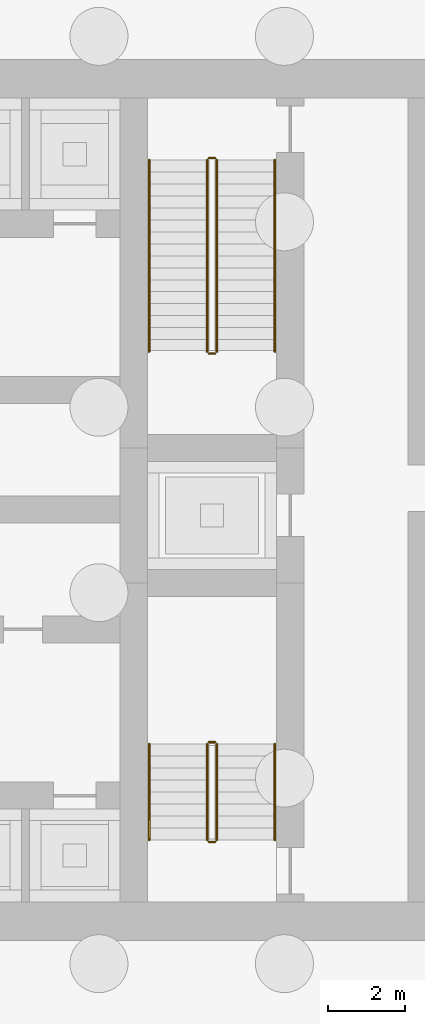
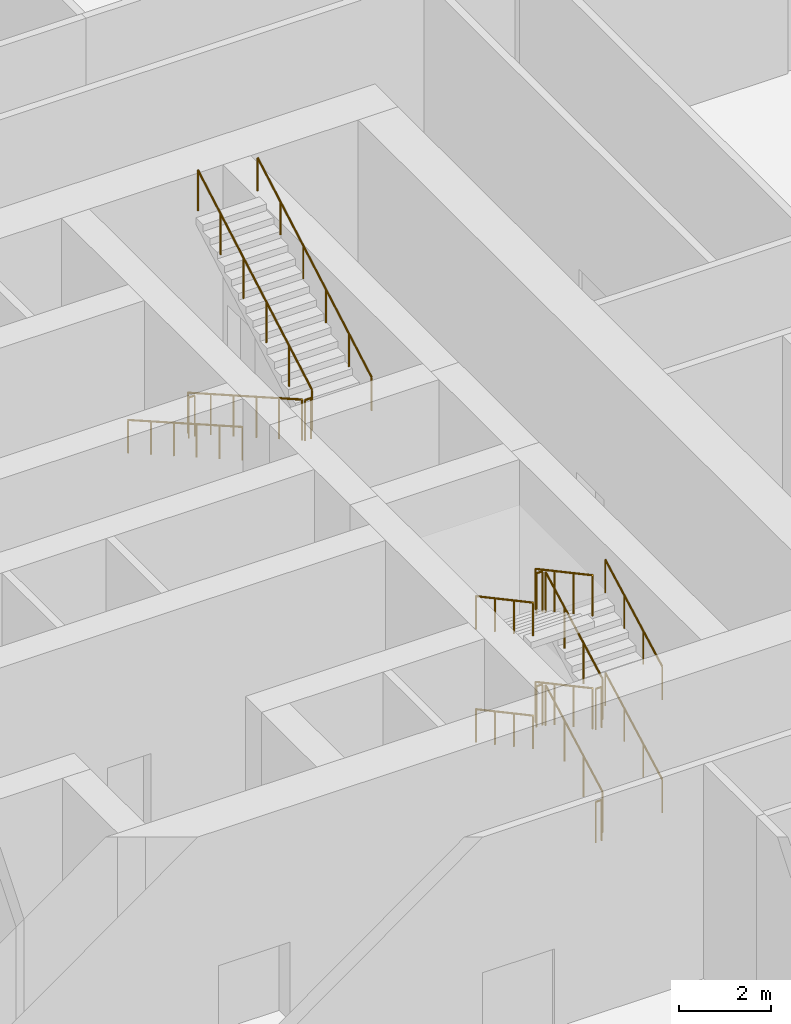
# One storey, part 41 of 44: 18 railings.
"""IFC4 building model written with IfcOpenShell, lengths in metres."""

import ifcopenshell
import ifcopenshell.guid

model = None  # the IFC model being written
_history = None  # IfcOwnerHistory: only IFC2X3 demands one
_inside = {}  # id of a spatial element -> (the spatial element, [elements in it])
_under = {}  # id of a project, library or spatial element -> (it, [spatial elements below it])
_declared = {}  # id of a project -> (the project, [libraries it declares])
_typed = {}  # id of a type object -> (the type object, [elements of that type])
_made_of = {}  # id of a material, layer set ... -> (it, [elements and type objects made of it])


def new_model(schema):
    """Start an empty IFC model of exactly this schema.

    Asked for "IFC4X3", IfcOpenShell would pick the latest addendum, in which some entities
    have other attributes; the version numbers below select the first issue.
    IFC2X3 requires an IfcOwnerHistory on every rooted entity: one is made here for all.
    """
    global model, _history
    if schema == "IFC4X3":
        model = ifcopenshell.file(schema_version=(4, 3, 0, 0))
    else:
        model = ifcopenshell.file(schema=schema)
    _inside.clear()
    _under.clear()
    _declared.clear()
    _typed.clear()
    _made_of.clear()
    _history = None
    if model.schema == "IFC2X3":
        org = make("IfcOrganization", Name="unknown")
        user = make(
            "IfcPersonAndOrganization",
            ThePerson=make("IfcPerson", FamilyName="unknown"),
            TheOrganization=org,
        )
        app = make(
            "IfcApplication",
            ApplicationDeveloper=org,
            Version="unknown",
            ApplicationFullName="unknown",
            ApplicationIdentifier="unknown",
        )
        _history = make(
            "IfcOwnerHistory",
            OwningUser=user,
            OwningApplication=app,
            ChangeAction="ADDED",
            CreationDate=0,
        )
    return model


def make(cls, **values):
    """One entity of the class cls with the attributes given. An attribute that is None is left unset."""
    return model.create_entity(
        cls, **{name: value for name, value in values.items() if value is not None}
    )


def rooted(cls, **values):
    """An entity with a GlobalId (a new one), such as an element, a storey or a relation."""
    return make(cls, GlobalId=ifcopenshell.guid.new(), OwnerHistory=_history, **values)


def si_unit(unit_type, name, prefix=None):
    """IfcSIUnit, for example si_unit("LENGTHUNIT", "METRE", prefix="MILLI")."""
    return make("IfcSIUnit", UnitType=unit_type, Prefix=prefix, Name=name)


def assignment(units):
    """IfcUnitAssignment: the units of a project."""
    return None if units is None else make("IfcUnitAssignment", Units=units)


def point(xyz):
    """IfcCartesianPoint."""
    return None if xyz is None else make("IfcCartesianPoint", Coordinates=xyz)


def direction(xyz):
    """IfcDirection."""
    return None if xyz is None else make("IfcDirection", DirectionRatios=xyz)


def frame(location, z_axis=None, x_axis=None):
    """IfcAxis2Placement3D, a coordinate frame: its origin and axes. An axis left out is left unset."""
    return make(
        "IfcAxis2Placement3D",
        Location=point(location),
        Axis=direction(z_axis),
        RefDirection=direction(x_axis),
    )


def frame_2d(location, x_axis=None):
    """IfcAxis2Placement2D, a coordinate frame in the plane: its origin and x axis."""
    return make(
        "IfcAxis2Placement2D", Location=point(location), RefDirection=direction(x_axis)
    )


def origin():
    """The frame at (0, 0, 0) with its axes left unset."""
    return frame((0.0, 0.0, 0.0))


def origin_2d():
    """The frame at (0, 0) in the plane with its x axis left unset."""
    return frame_2d((0.0, 0.0))


def place(relative_to, where):
    """IfcLocalPlacement: puts the frame where relative to a parent placement (None: the world)."""
    return make(
        "IfcLocalPlacement", PlacementRelTo=relative_to, RelativePlacement=where
    )


def context(
    kind, dimensions, precision=None, world=None, true_north=None, identifier=None
):
    """IfcGeometricRepresentationContext, for example the 3D "Model" context."""
    return make(
        "IfcGeometricRepresentationContext",
        ContextIdentifier=identifier,
        ContextType=kind,
        CoordinateSpaceDimension=dimensions,
        Precision=precision,
        WorldCoordinateSystem=world,
        TrueNorth=true_north,
    )


def subcontext(parent, identifier, kind, view, scale=None):
    """IfcGeometricRepresentationSubContext, for example "Body" below "Model"."""
    return make(
        "IfcGeometricRepresentationSubContext",
        ContextIdentifier=identifier,
        ContextType=kind,
        ParentContext=parent,
        TargetScale=scale,
        TargetView=view,
    )


def project(units=None, contexts=None):
    """IfcProject with its units and contexts."""
    return rooted(
        "IfcProject",
        Name="project",
        RepresentationContexts=contexts,
        UnitsInContext=assignment(units),
    )


def spatial(cls, under=None, at=None, **own):
    """A site, building, storey or space (cls), placed at a placement, below another one or the project."""
    s = rooted(cls, ObjectPlacement=at, **own)
    if under is not None:
        _under.setdefault(under.id(), (under, []))[1].append(s)
    return s


def profile(cls, at=None, kind="AREA", **sizes):
    """A parametric profile (cls). Its sizes go by their IFC names, for example OverallWidth=200.0."""
    return make(cls, ProfileType=kind, Position=at, **sizes)


def circle(**sizes):
    """IfcCircleProfileDef."""
    return profile("IfcCircleProfileDef", **sizes)


def extrude(swept, where, along, depth):
    """IfcExtrudedAreaSolid: the profile swept, set in the frame where, extruded along a direction by depth."""
    return make(
        "IfcExtrudedAreaSolid",
        SweptArea=swept,
        Position=where,
        ExtrudedDirection=direction(along),
        Depth=depth,
    )


def shape(context_of_items, identifier, shape_type, items):
    """IfcShapeRepresentation: the items that make up one representation, for example the "Body"."""
    return make(
        "IfcShapeRepresentation",
        ContextOfItems=context_of_items,
        RepresentationIdentifier=identifier,
        RepresentationType=shape_type,
        Items=items,
    )


def material(Name=None, Category=None):
    """IfcMaterial."""
    return make("IfcMaterial", Name=Name, Category=Category)


def made_of(thing, what):
    """Note that an element or type object is made of a material, layer set ...; save() writes the relation."""
    if what is not None:
        _made_of.setdefault(what.id(), (what, []))[1].append(thing)
    return thing


def type_object(cls, material=None, **own):
    """A type object (cls), such as IfcWallType, which elements share."""
    return made_of(rooted(cls, **own), material)


def element(
    cls,
    number,
    at=None,
    inside=None,
    cuts=None,
    type_object=None,
    material=None,
    context=None,
    identifier="Body",
    shape_type=None,
    held_by="IfcProductDefinitionShape",
    body=None,
    shapes=None,
    **own,
):
    """One element of the class cls, such as IfcWall. Its Tag is "e" and its number.

    at: its placement. inside: the storey or other place that contains it. cuts: it is an
    opening in that element (IfcRelVoidsElement). A single representation is given by context,
    identifier, shape_type and body (its items); several are given by shapes. held_by: the class
    of the entity that holds the representations. save() writes the other relations.
    """
    e = rooted(cls, Tag="e%d" % number, ObjectPlacement=at, **own)
    if body is not None:
        shapes = [shape(context, identifier, shape_type, body)]
    if shapes is not None:
        e.Representation = make(held_by, Representations=shapes)
    if inside is not None:
        _inside.setdefault(inside.id(), (inside, []))[1].append(e)
    if cuts is not None:
        rooted(
            "IfcRelVoidsElement", RelatingBuildingElement=cuts, RelatedOpeningElement=e
        )
    if type_object is not None:
        _typed.setdefault(type_object.id(), (type_object, []))[1].append(e)
    return made_of(e, material)


def aggregate(whole, parts):
    """IfcRelAggregates: a whole, such as a stair, and the parts it consists of."""
    return rooted("IfcRelAggregates", RelatingObject=whole, RelatedObjects=parts)


def save(model, path):
    """Write the relations noted so far, then the file.

    IfcRelAggregates (storeys below a building ...), IfcRelContainedInSpatialStructure (elements
    in a storey), IfcRelDefinesByType, IfcRelAssociatesMaterial and IfcRelDeclares: one each for
    every whole, place, type object, material and project.
    """
    for whole, parts in _under.values():
        aggregate(whole, parts)
    for where, things in _inside.values():
        rooted(
            "IfcRelContainedInSpatialStructure",
            RelatedElements=things,
            RelatingStructure=where,
        )
    for kind, things in _typed.values():
        rooted("IfcRelDefinesByType", RelatedObjects=things, RelatingType=kind)
    for what, things in _made_of.values():
        rooted("IfcRelAssociatesMaterial", RelatedObjects=things, RelatingMaterial=what)
    for by, libraries in _declared.values():
        rooted("IfcRelDeclares", RelatingContext=by, RelatedDefinitions=libraries)
    model.write(path)


model = new_model("IFC4")

# Units and contexts
model_context = context("Model", 3, precision=1e-05, world=origin(), true_north=direction((0.0, 1.0)))
body_context = subcontext(model_context, "Body", "Model", "MODEL_VIEW")
ifc_project = project(units=[si_unit("LENGTHUNIT", "METRE"), si_unit("AREAUNIT", "SQUARE_METRE"), si_unit("VOLUMEUNIT", "CUBIC_METRE"), si_unit("PLANEANGLEUNIT", "RADIAN"), si_unit("MASSUNIT", "GRAM", prefix="KILO")], contexts=[model_context])

# Site, building, storey
site_placement = place(None, origin())
site = spatial("IfcSite", under=ifc_project, at=site_placement, CompositionType="ELEMENT")
building_placement = place(site_placement, origin())
building = spatial("IfcBuilding", under=site, at=building_placement, Name="Madar Terraces", CompositionType="ELEMENT")
storey_placement = place(building_placement, origin())
storey = spatial("IfcBuildingStorey", under=building, at=storey_placement, Name="L00", CompositionType="ELEMENT", Elevation=0.0)

# Railings
ifc_material_1 = material(Name="Stainless steel railing", Category="steel")
railing_type_1 = type_object("IfcRailingType", Name="Stair guard 1100", PredefinedType="GUARDRAIL", material=ifc_material_1)
railing_1_placement = place(storey_placement, frame((41.199951171875, 35.199951171875, 0.176513671875)))
element("IfcRailing", 1, at=railing_1_placement, inside=storey, type_object=railing_type_1, Name="L00 ST2 stair guard 1", PredefinedType="GUARDRAIL", context=body_context, shape_type="SweptSolid", body=[
    extrude(circle(Radius=0.02392578125, at=origin_2d()), frame((0.0, 0.0, 1.076171875), z_axis=(0.0, -0.869055394331, 0.49471478812), x_axis=(1.0, 0.0, 0.0)), (0.0, 0.0, 1.0), 5.707275390625),
    extrude(circle(Radius=0.02099609375, at=origin_2d()), origin(), (0.0, 0.0, 1.0), 1.052001953125),
    extrude(circle(Radius=0.02099609375, at=origin_2d()), frame((0.0, -0.991943359375, 0.564697265625)), (0.0, 0.0, 1.0), 1.052001953125),
    extrude(circle(Radius=0.02099609375, at=origin_2d()), frame((0.0, -1.98388671875, 1.12939453125)), (0.0, 0.0, 1.0), 1.052001953125),
    extrude(circle(Radius=0.02099609375, at=origin_2d()), frame((0.0, -2.97607421875, 1.694091796875)), (0.0, 0.0, 1.0), 1.052001953125),
    extrude(circle(Radius=0.02099609375, at=origin_2d()), frame((0.0, -3.968017578125, 2.2587890625)), (0.0, 0.0, 1.0), 1.052001953125),
    extrude(circle(Radius=0.02099609375, at=origin_2d()), frame((0.0, -4.9599609375, 2.823486328125)), (0.0, 0.0, 1.0), 1.052001953125),
])
railing_2_placement = place(storey_placement, frame((41.25, 30.18994140625, 3.0)))
element("IfcRailing", 2, at=railing_2_placement, inside=storey, type_object=railing_type_1, Name="L00 ST2 stair guard 2", PredefinedType="GUARDRAIL", context=body_context, shape_type="SweptSolid", body=[
    extrude(circle(Radius=0.02392578125, at=origin_2d()), frame((0.0, 0.0, 1.076171875), z_axis=(1.0, 0.0, 0.0), x_axis=(0.0, 1.0, 0.0)), (0.0, 0.0, 1.0), 0.14990234375),
    extrude(circle(Radius=0.02099609375, at=origin_2d()), origin(), (0.0, 0.0, 1.0), 1.052001953125),
    extrude(circle(Radius=0.02099609375, at=origin_2d()), frame((0.14990234375, 0.0, 0.0)), (0.0, 0.0, 1.0), 1.052001953125),
])
railing_3_placement = place(storey_placement, frame((41.449951171875, 30.239990234375, 3.176513671875)))
element("IfcRailing", 3, at=railing_3_placement, inside=storey, type_object=railing_type_1, Name="L00 ST2 stair guard 3", PredefinedType="GUARDRAIL", context=body_context, shape_type="SweptSolid", body=[
    extrude(circle(Radius=0.02392578125, at=origin_2d()), frame((0.0, 0.0, 1.076171875), z_axis=(0.0, 0.869055394331, 0.49471478812), x_axis=(-1.0, 0.0, 0.0)), (0.0, 0.0, 1.0), 5.707275390625),
    extrude(circle(Radius=0.02099609375, at=origin_2d()), origin(), (0.0, 0.0, 1.0), 1.052001953125),
    extrude(circle(Radius=0.02099609375, at=origin_2d()), frame((0.0, 0.991943359375, 0.564697265625)), (0.0, 0.0, 1.0), 1.052001953125),
    extrude(circle(Radius=0.02099609375, at=origin_2d()), frame((0.0, 1.98388671875, 1.12939453125)), (0.0, 0.0, 1.0), 1.052001953125),
    extrude(circle(Radius=0.02099609375, at=origin_2d()), frame((0.0, 2.97607421875, 1.694091796875)), (0.0, 0.0, 1.0), 1.052001953125),
    extrude(circle(Radius=0.02099609375, at=origin_2d()), frame((0.0, 3.968017578125, 2.2587890625)), (0.0, 0.0, 1.0), 1.052001953125),
    extrude(circle(Radius=0.02099609375, at=origin_2d()), frame((0.0, 4.9599609375, 2.823486328125)), (0.0, 0.0, 1.0), 1.052001953125),
])
railing_4_placement = place(storey_placement, frame((41.25, 35.25, 0.0)))
element("IfcRailing", 4, at=railing_4_placement, inside=storey, type_object=railing_type_1, Name="L00 ST2 stair guard 4", PredefinedType="GUARDRAIL", context=body_context, shape_type="SweptSolid", body=[
    extrude(circle(Radius=0.02392578125, at=origin_2d()), frame((0.0, 0.0, 1.076171875), z_axis=(1.0, 0.0, 0.0), x_axis=(0.0, 1.0, 0.0)), (0.0, 0.0, 1.0), 0.14990234375),
    extrude(circle(Radius=0.02099609375, at=origin_2d()), origin(), (0.0, 0.0, 1.0), 1.052001953125),
    extrude(circle(Radius=0.02099609375, at=origin_2d()), frame((0.14990234375, 0.0, 0.0)), (0.0, 0.0, 1.0), 1.052001953125),
])
railing_5_placement = place(storey_placement, frame((41.449951171875, 17.60009765625, 0.166748046875)))
element("IfcRailing", 5, at=railing_5_placement, inside=storey, type_object=railing_type_1, Name="L00 ST3 stair guard 1", PredefinedType="GUARDRAIL", context=body_context, shape_type="SweptSolid", body=[
    extrude(circle(Radius=0.02392578125, at=origin_2d()), frame((0.0, 0.0, 1.076171875), z_axis=(0.0, 0.880785522881, 0.473515430248), x_axis=(-1.0, 0.0, 0.0)), (0.0, 0.0, 1.0), 2.815673828125),
    extrude(circle(Radius=0.02099609375, at=origin_2d()), origin(), (0.0, 0.0, 1.0), 1.052001953125),
    extrude(circle(Radius=0.02099609375, at=origin_2d()), frame((0.0, 0.82666015625, 0.4443359375)), (0.0, 0.0, 1.0), 1.052001953125),
    extrude(circle(Radius=0.02099609375, at=origin_2d()), frame((0.0, 1.6533203125, 0.888916015625)), (0.0, 0.0, 1.0), 1.052001953125),
    extrude(circle(Radius=0.02099609375, at=origin_2d()), frame((0.0, 2.47998046875, 1.333251953125)), (0.0, 0.0, 1.0), 1.052001953125),
])
railing_6_placement = place(storey_placement, frame((41.39990234375, 20.1298828125, 1.5)))
element("IfcRailing", 6, at=railing_6_placement, inside=storey, type_object=railing_type_1, Name="L00 ST3 stair guard 2", PredefinedType="GUARDRAIL", context=body_context, shape_type="SweptSolid", body=[
    extrude(circle(Radius=0.02392578125, at=origin_2d()), frame((0.0, 0.0, 1.076171875), z_axis=(-1.0, 0.0, 0.0), x_axis=(0.0, -1.0, 0.0)), (0.0, 0.0, 1.0), 0.14990234375),
    extrude(circle(Radius=0.02099609375, at=origin_2d()), origin(), (0.0, 0.0, 1.0), 1.052001953125),
    extrude(circle(Radius=0.02099609375, at=origin_2d()), frame((-0.14990234375, 0.0, 0.0)), (0.0, 0.0, 1.0), 1.052001953125),
])
railing_7_placement = place(storey_placement, frame((41.199951171875, 20.080078125, 1.666748046875)))
element("IfcRailing", 7, at=railing_7_placement, inside=storey, type_object=railing_type_1, Name="L00 ST3 stair guard 3", PredefinedType="GUARDRAIL", context=body_context, shape_type="SweptSolid", body=[
    extrude(circle(Radius=0.02392578125, at=origin_2d()), frame((0.0, 0.0, 1.076171875), z_axis=(0.0, -0.880785522881, 0.473515430248), x_axis=(1.0, 0.0, 0.0)), (0.0, 0.0, 1.0), 2.815673828125),
    extrude(circle(Radius=0.02099609375, at=origin_2d()), origin(), (0.0, 0.0, 1.0), 1.052001953125),
    extrude(circle(Radius=0.02099609375, at=origin_2d()), frame((0.0, -0.82666015625, 0.4443359375)), (0.0, 0.0, 1.0), 1.052001953125),
    extrude(circle(Radius=0.02099609375, at=origin_2d()), frame((0.0, -1.6533203125, 0.888916015625)), (0.0, 0.0, 1.0), 1.052001953125),
    extrude(circle(Radius=0.02099609375, at=origin_2d()), frame((0.0, -2.47998046875, 1.333251953125)), (0.0, 0.0, 1.0), 1.052001953125),
])
railing_8_placement = place(storey_placement, frame((41.39990234375, 17.550048828125, 3.0)))
element("IfcRailing", 8, at=railing_8_placement, inside=storey, type_object=railing_type_1, Name="L00 ST3 stair guard 4", PredefinedType="GUARDRAIL", context=body_context, shape_type="SweptSolid", body=[
    extrude(circle(Radius=0.02392578125, at=origin_2d()), frame((0.0, 0.0, 1.076171875), z_axis=(-1.0, 0.0, 0.0), x_axis=(0.0, -1.0, 0.0)), (0.0, 0.0, 1.0), 0.14990234375),
    extrude(circle(Radius=0.02099609375, at=origin_2d()), origin(), (0.0, 0.0, 1.0), 1.052001953125),
    extrude(circle(Radius=0.02099609375, at=origin_2d()), frame((-0.14990234375, 0.0, 0.0)), (0.0, 0.0, 1.0), 1.052001953125),
])
railing_9_placement = place(storey_placement, frame((41.449951171875, 17.60009765625, 3.166748046875)))
element("IfcRailing", 9, at=railing_9_placement, inside=storey, type_object=railing_type_1, Name="L00 ST3 stair guard 5", PredefinedType="GUARDRAIL", context=body_context, shape_type="SweptSolid", body=[
    extrude(circle(Radius=0.02392578125, at=origin_2d()), frame((0.0, 0.0, 1.076171875), z_axis=(0.0, 0.880785522881, 0.473515430248), x_axis=(-1.0, 0.0, 0.0)), (0.0, 0.0, 1.0), 2.815673828125),
    extrude(circle(Radius=0.02099609375, at=origin_2d()), origin(), (0.0, 0.0, 1.0), 1.052001953125),
    extrude(circle(Radius=0.02099609375, at=origin_2d()), frame((0.0, 0.82666015625, 0.4443359375)), (0.0, 0.0, 1.0), 1.052001953125),
    extrude(circle(Radius=0.02099609375, at=origin_2d()), frame((0.0, 1.6533203125, 0.888916015625)), (0.0, 0.0, 1.0), 1.052001953125),
    extrude(circle(Radius=0.02099609375, at=origin_2d()), frame((0.0, 2.47998046875, 1.333251953125)), (0.0, 0.0, 1.0), 1.052001953125),
])
railing_10_placement = place(storey_placement, frame((41.39990234375, 20.1298828125, 4.5)))
element("IfcRailing", 10, at=railing_10_placement, inside=storey, type_object=railing_type_1, Name="L00 ST3 stair guard 6", PredefinedType="GUARDRAIL", context=body_context, shape_type="SweptSolid", body=[
    extrude(circle(Radius=0.02392578125, at=origin_2d()), frame((0.0, 0.0, 1.076171875), z_axis=(-1.0, 0.0, 0.0), x_axis=(0.0, -1.0, 0.0)), (0.0, 0.0, 1.0), 0.14990234375),
    extrude(circle(Radius=0.02099609375, at=origin_2d()), origin(), (0.0, 0.0, 1.0), 1.052001953125),
    extrude(circle(Radius=0.02099609375, at=origin_2d()), frame((-0.14990234375, 0.0, 0.0)), (0.0, 0.0, 1.0), 1.052001953125),
])
railing_11_placement = place(storey_placement, frame((41.199951171875, 20.080078125, 4.666748046875)))
element("IfcRailing", 11, at=railing_11_placement, inside=storey, type_object=railing_type_1, Name="L00 ST3 stair guard 7", PredefinedType="GUARDRAIL", context=body_context, shape_type="SweptSolid", body=[
    extrude(circle(Radius=0.02392578125, at=origin_2d()), frame((0.0, 0.0, 1.076171875), z_axis=(0.0, -0.880785522881, 0.473515430248), x_axis=(1.0, 0.0, 0.0)), (0.0, 0.0, 1.0), 2.815673828125),
    extrude(circle(Radius=0.02099609375, at=origin_2d()), origin(), (0.0, 0.0, 1.0), 1.052001953125),
    extrude(circle(Radius=0.02099609375, at=origin_2d()), frame((0.0, -0.82666015625, 0.4443359375)), (0.0, 0.0, 1.0), 1.052001953125),
    extrude(circle(Radius=0.02099609375, at=origin_2d()), frame((0.0, -1.6533203125, 0.888916015625)), (0.0, 0.0, 1.0), 1.052001953125),
    extrude(circle(Radius=0.02099609375, at=origin_2d()), frame((0.0, -2.47998046875, 1.333251953125)), (0.0, 0.0, 1.0), 1.052001953125),
])
railing_12_placement = place(storey_placement, frame((41.39990234375, 17.550048828125, 0.0)))
element("IfcRailing", 12, at=railing_12_placement, inside=storey, type_object=railing_type_1, Name="L00 ST3 stair guard 8", PredefinedType="GUARDRAIL", context=body_context, shape_type="SweptSolid", body=[
    extrude(circle(Radius=0.02392578125, at=origin_2d()), frame((0.0, 0.0, 1.076171875), z_axis=(-1.0, 0.0, 0.0), x_axis=(0.0, -1.0, 0.0)), (0.0, 0.0, 1.0), 0.14990234375),
    extrude(circle(Radius=0.02099609375, at=origin_2d()), origin(), (0.0, 0.0, 1.0), 1.052001953125),
    extrude(circle(Radius=0.02099609375, at=origin_2d()), frame((-0.14990234375, 0.0, 0.0)), (0.0, 0.0, 1.0), 1.052001953125),
])
ifc_material_2 = material(Name="Stainless steel railing", Category="steel")
railing_type_2 = type_object("IfcRailingType", Name="Stair handrail 900", PredefinedType="HANDRAIL", material=ifc_material_2)
railing_13_placement = place(storey_placement, frame((39.699951171875, 35.199951171875, 0.176513671875)))
element("IfcRailing", 13, at=railing_13_placement, inside=storey, type_object=railing_type_2, Name="L00 ST2 stair handrail 1", PredefinedType="HANDRAIL", context=body_context, shape_type="SweptSolid", body=[
    extrude(circle(Radius=0.02392578125, at=origin_2d()), frame((0.0, 0.0, 0.8759765625), z_axis=(0.0, -0.869055394331, 0.49471478812), x_axis=(1.0, 0.0, 0.0)), (0.0, 0.0, 1.0), 5.707275390625),
    extrude(circle(Radius=0.02099609375, at=origin_2d()), origin(), (0.0, 0.0, 1.0), 0.851806640625),
    extrude(circle(Radius=0.02099609375, at=origin_2d()), frame((0.0, -0.991943359375, 0.564697265625)), (0.0, 0.0, 1.0), 0.851806640625),
    extrude(circle(Radius=0.02099609375, at=origin_2d()), frame((0.0, -1.98388671875, 1.12939453125)), (0.0, 0.0, 1.0), 0.851806640625),
    extrude(circle(Radius=0.02099609375, at=origin_2d()), frame((0.0, -2.97607421875, 1.694091796875)), (0.0, 0.0, 1.0), 0.851806640625),
    extrude(circle(Radius=0.02099609375, at=origin_2d()), frame((0.0, -3.968017578125, 2.2587890625)), (0.0, 0.0, 1.0), 0.851806640625),
    extrude(circle(Radius=0.02099609375, at=origin_2d()), frame((0.0, -4.9599609375, 2.823486328125)), (0.0, 0.0, 1.0), 0.851806640625),
])
railing_14_placement = place(storey_placement, frame((42.949951171875, 30.239990234375, 3.176513671875)))
element("IfcRailing", 14, at=railing_14_placement, inside=storey, type_object=railing_type_2, Name="L00 ST2 stair handrail 2", PredefinedType="HANDRAIL", context=body_context, shape_type="SweptSolid", body=[
    extrude(circle(Radius=0.02392578125, at=origin_2d()), frame((0.0, 0.0, 0.8759765625), z_axis=(0.0, 0.869055394331, 0.49471478812), x_axis=(-1.0, 0.0, 0.0)), (0.0, 0.0, 1.0), 5.707275390625),
    extrude(circle(Radius=0.02099609375, at=origin_2d()), origin(), (0.0, 0.0, 1.0), 0.851806640625),
    extrude(circle(Radius=0.02099609375, at=origin_2d()), frame((0.0, 0.991943359375, 0.564697265625)), (0.0, 0.0, 1.0), 0.851806640625),
    extrude(circle(Radius=0.02099609375, at=origin_2d()), frame((0.0, 1.98388671875, 1.12939453125)), (0.0, 0.0, 1.0), 0.851806640625),
    extrude(circle(Radius=0.02099609375, at=origin_2d()), frame((0.0, 2.97607421875, 1.694091796875)), (0.0, 0.0, 1.0), 0.851806640625),
    extrude(circle(Radius=0.02099609375, at=origin_2d()), frame((0.0, 3.968017578125, 2.2587890625)), (0.0, 0.0, 1.0), 0.851806640625),
    extrude(circle(Radius=0.02099609375, at=origin_2d()), frame((0.0, 4.9599609375, 2.823486328125)), (0.0, 0.0, 1.0), 0.851806640625),
])
railing_15_placement = place(storey_placement, frame((42.949951171875, 17.60009765625, 0.166748046875)))
element("IfcRailing", 15, at=railing_15_placement, inside=storey, type_object=railing_type_2, Name="L00 ST3 stair handrail 1", PredefinedType="HANDRAIL", context=body_context, shape_type="SweptSolid", body=[
    extrude(circle(Radius=0.02392578125, at=origin_2d()), frame((0.0, 0.0, 0.8759765625), z_axis=(0.0, 0.880785522881, 0.473515430248), x_axis=(-1.0, 0.0, 0.0)), (0.0, 0.0, 1.0), 2.815673828125),
    extrude(circle(Radius=0.02099609375, at=origin_2d()), origin(), (0.0, 0.0, 1.0), 0.851806640625),
    extrude(circle(Radius=0.02099609375, at=origin_2d()), frame((0.0, 0.82666015625, 0.4443359375)), (0.0, 0.0, 1.0), 0.851806640625),
    extrude(circle(Radius=0.02099609375, at=origin_2d()), frame((0.0, 1.6533203125, 0.888916015625)), (0.0, 0.0, 1.0), 0.851806640625),
    extrude(circle(Radius=0.02099609375, at=origin_2d()), frame((0.0, 2.47998046875, 1.333251953125)), (0.0, 0.0, 1.0), 0.851806640625),
])
railing_16_placement = place(storey_placement, frame((39.699951171875, 20.080078125, 1.666748046875)))
element("IfcRailing", 16, at=railing_16_placement, inside=storey, type_object=railing_type_2, Name="L00 ST3 stair handrail 2", PredefinedType="HANDRAIL", context=body_context, shape_type="SweptSolid", body=[
    extrude(circle(Radius=0.02392578125, at=origin_2d()), frame((0.0, 0.0, 0.8759765625), z_axis=(0.0, -0.880785522881, 0.473515430248), x_axis=(1.0, 0.0, 0.0)), (0.0, 0.0, 1.0), 2.815673828125),
    extrude(circle(Radius=0.02099609375, at=origin_2d()), origin(), (0.0, 0.0, 1.0), 0.851806640625),
    extrude(circle(Radius=0.02099609375, at=origin_2d()), frame((0.0, -0.82666015625, 0.4443359375)), (0.0, 0.0, 1.0), 0.851806640625),
    extrude(circle(Radius=0.02099609375, at=origin_2d()), frame((0.0, -1.6533203125, 0.888916015625)), (0.0, 0.0, 1.0), 0.851806640625),
    extrude(circle(Radius=0.02099609375, at=origin_2d()), frame((0.0, -2.47998046875, 1.333251953125)), (0.0, 0.0, 1.0), 0.851806640625),
])
railing_17_placement = place(storey_placement, frame((42.949951171875, 17.60009765625, 3.166748046875)))
element("IfcRailing", 17, at=railing_17_placement, inside=storey, type_object=railing_type_2, Name="L00 ST3 stair handrail 3", PredefinedType="HANDRAIL", context=body_context, shape_type="SweptSolid", body=[
    extrude(circle(Radius=0.02392578125, at=origin_2d()), frame((0.0, 0.0, 0.8759765625), z_axis=(0.0, 0.880785522881, 0.473515430248), x_axis=(-1.0, 0.0, 0.0)), (0.0, 0.0, 1.0), 2.815673828125),
    extrude(circle(Radius=0.02099609375, at=origin_2d()), origin(), (0.0, 0.0, 1.0), 0.851806640625),
    extrude(circle(Radius=0.02099609375, at=origin_2d()), frame((0.0, 0.82666015625, 0.4443359375)), (0.0, 0.0, 1.0), 0.851806640625),
    extrude(circle(Radius=0.02099609375, at=origin_2d()), frame((0.0, 1.6533203125, 0.888916015625)), (0.0, 0.0, 1.0), 0.851806640625),
    extrude(circle(Radius=0.02099609375, at=origin_2d()), frame((0.0, 2.47998046875, 1.333251953125)), (0.0, 0.0, 1.0), 0.851806640625),
])
railing_18_placement = place(storey_placement, frame((39.699951171875, 20.080078125, 4.666748046875)))
element("IfcRailing", 18, at=railing_18_placement, inside=storey, type_object=railing_type_2, Name="L00 ST3 stair handrail 4", PredefinedType="HANDRAIL", context=body_context, shape_type="SweptSolid", body=[
    extrude(circle(Radius=0.02392578125, at=origin_2d()), frame((0.0, 0.0, 0.8759765625), z_axis=(0.0, -0.880785522881, 0.473515430248), x_axis=(1.0, 0.0, 0.0)), (0.0, 0.0, 1.0), 2.815673828125),
    extrude(circle(Radius=0.02099609375, at=origin_2d()), origin(), (0.0, 0.0, 1.0), 0.851806640625),
    extrude(circle(Radius=0.02099609375, at=origin_2d()), frame((0.0, -0.82666015625, 0.4443359375)), (0.0, 0.0, 1.0), 0.851806640625),
    extrude(circle(Radius=0.02099609375, at=origin_2d()), frame((0.0, -1.6533203125, 0.888916015625)), (0.0, 0.0, 1.0), 0.851806640625),
    extrude(circle(Radius=0.02099609375, at=origin_2d()), frame((0.0, -2.47998046875, 1.333251953125)), (0.0, 0.0, 1.0), 0.851806640625),
])

save(model, "model.ifc")
